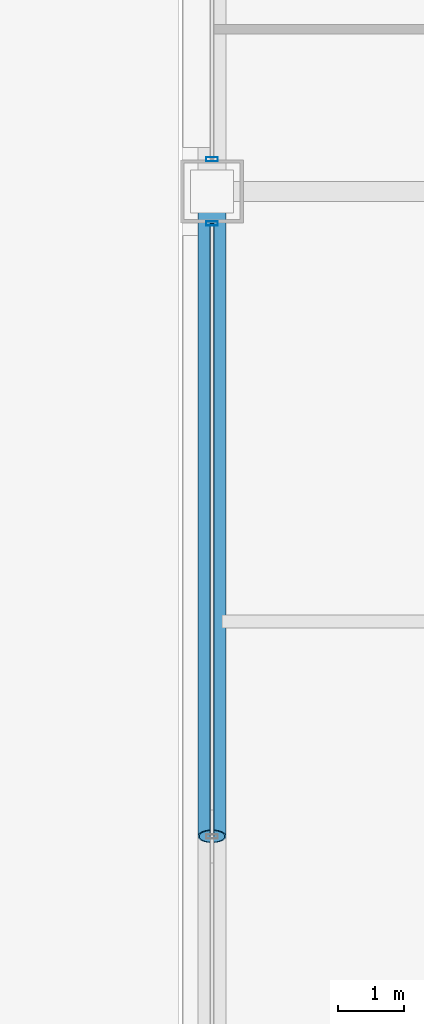
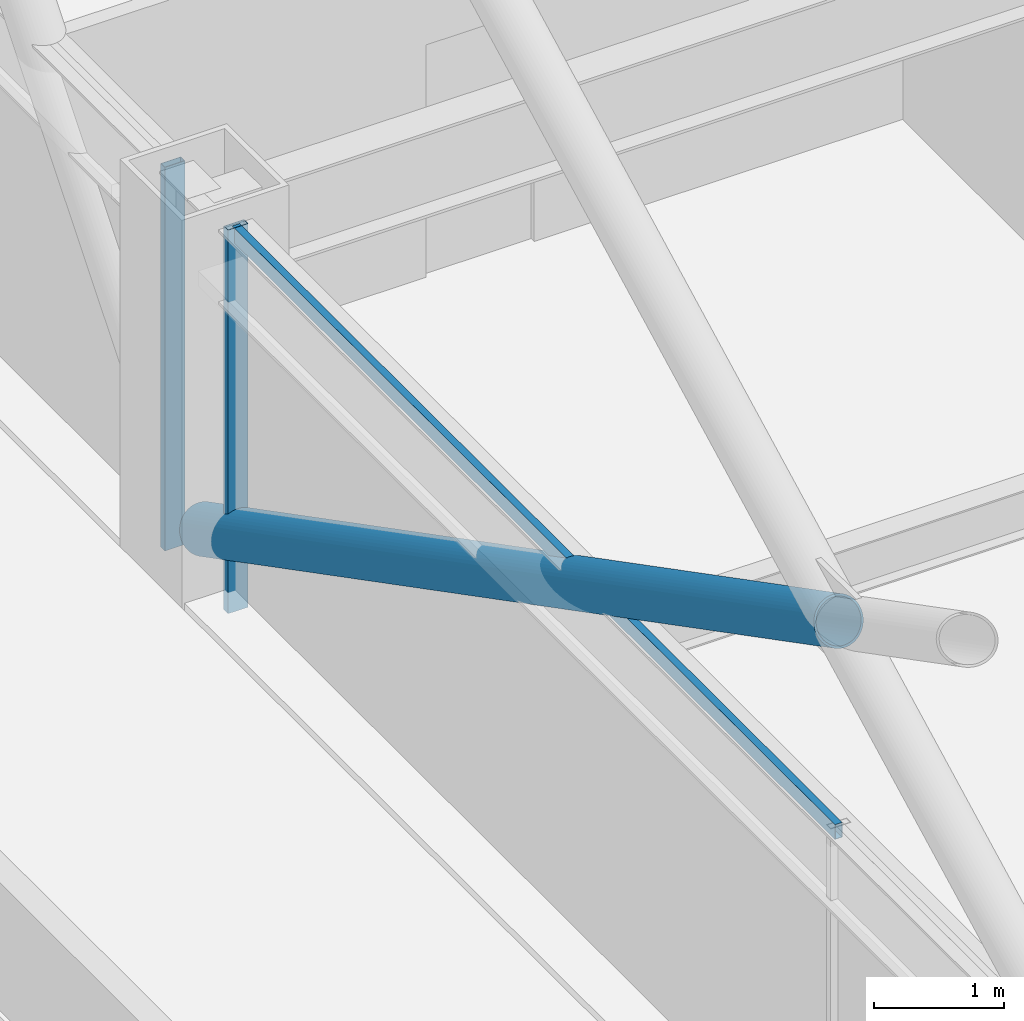
# One storey, part 17 of 33: 4 members, 2 elements without a shape of their own.
"""IFC4 building model written with IfcOpenShell, lengths in metres."""

from ifc_helpers import new_model, si_unit, direction, frame, origin, origin_2d, place, context, subcontext, project, spatial, hollow_rectangle, hollow_circle, extrude, material, layer, layer_set, material_profile, profile_set, type_object, element, aggregate, save


model = new_model("IFC4")

# Units and contexts
model_context = context("Model", 3, precision=1e-05, world=origin(), true_north=direction((0.0, 1.0)))
body_context = subcontext(model_context, "Body", "Model", "MODEL_VIEW")
ifc_project = project(units=[si_unit("LENGTHUNIT", "METRE"), si_unit("AREAUNIT", "SQUARE_METRE"), si_unit("VOLUMEUNIT", "CUBIC_METRE"), si_unit("PLANEANGLEUNIT", "RADIAN"), si_unit("MASSUNIT", "GRAM", prefix="KILO")], contexts=[model_context])

# Site, building, storey
site_placement = place(None, origin())
site = spatial("IfcSite", under=ifc_project, at=site_placement, CompositionType="ELEMENT")
building_placement = place(site_placement, origin())
building = spatial("IfcBuilding", under=site, at=building_placement, Name="Brelmoor Portico Tower", CompositionType="ELEMENT")
storey_placement = place(building_placement, frame((0.0, 0.0, 24.0)))
storey = spatial("IfcBuildingStorey", under=building, at=storey_placement, Name="L05", CompositionType="ELEMENT", Elevation=24.0)

# Member
ifc_material_1 = material(Name="Steel Q355B", Category="steel")
ifc_material_profile_1 = material_profile(ifc_material_1, hollow_circle(Radius=0.212890625, WallThickness=0.02001953125, at=origin_2d()), Name="CHS 426x20")
ifc_profile_set_1 = profile_set([ifc_material_profile_1], Name="Steel Q355B")
member_type_1 = type_object("IfcMemberType", Name="MB-BELT-DIAG1", PredefinedType="BRACE", material=ifc_profile_set_1)
member_1_placement = place(storey_placement, frame((-24.550048828125, 9.75, 0.25), z_axis=(0.0, -0.887959386012, 0.459921872488), x_axis=(1.0, 0.0, 0.0)))
element("IfcMember", 1, at=member_1_placement, inside=storey, type_object=member_type_1, Name="L05 Split Mega-X Brace 006B1", PredefinedType="BRACE", context=body_context, shape_type="SweptSolid", body=[
    extrude(hollow_circle(Radius=0.212890625, WallThickness=0.02001953125, at=origin_2d()), origin(), (0.0, 0.0, 1.0), 10.980224609375),
])

# Curtain wall, member
ifc_material_2 = material(Name="Anodised Aluminium Alloy 6063-T6", Category="aluminium")
ifc_layer = layer(ifc_material_2, 0.179931640625)
ifc_layer_set = layer_set([ifc_layer], Name="Anodised Aluminium Alloy 6063-T6")
curtain_wall_type = type_object("IfcCurtainWallType", Name="CW-TOWER-Z1-XB", PredefinedType="NOTDEFINED", material=ifc_layer_set)
curtain_wall_1_placement = place(storey_placement, origin())
curtain_wall_1 = element("IfcCurtainWall", 2, at=curtain_wall_1_placement, inside=storey, type_object=curtain_wall_type, Name="L05 Curtain Wall CW-L05-03-2", PredefinedType="NOTDEFINED")
ifc_material_profile_2 = material_profile(ifc_material_2, hollow_rectangle(XDim=0.06494140625, YDim=0.179931640625, WallThickness=0.00390625, at=origin_2d()), Name="ALU MULLION 65x180")
ifc_profile_set_2 = profile_set([ifc_material_profile_2], Name="Anodised Aluminium Alloy 6063-T6")
member_type_2 = type_object("IfcMemberType", Name="MB-CW-MULL-180", PredefinedType="MULLION", material=ifc_profile_set_2)
member_2_placement = place(storey_placement, frame((-24.550048828125, 9.264892578125, -0.199951171875), z_axis=(0.0, 0.0, 1.0), x_axis=(0.0, 1.0, 0.0)))
member_2 = element("IfcMember", 3, at=member_2_placement, type_object=member_type_2, Name="CW-L05-03-2 Mullion 02", PredefinedType="MULLION", context=body_context, shape_type="SweptSolid", body=[
    extrude(hollow_rectangle(XDim=0.06494140625, YDim=0.179931640625, WallThickness=0.00390625, at=origin_2d()), origin(), (0.0, 0.0, 1.0), 3.599853515625),
])

curtain_wall_2_placement = place(storey_placement, origin())
curtain_wall_2 = element("IfcCurtainWall", 4, at=curtain_wall_2_placement, inside=storey, type_object=curtain_wall_type, Name="L05 Curtain Wall CW-L05-03-3", PredefinedType="NOTDEFINED")
member_3_placement = place(storey_placement, frame((-24.550048828125, 10.235107421875, -0.199951171875), z_axis=(0.0, 0.0, 1.0), x_axis=(0.0, 1.0, 0.0)))
member_3 = element("IfcMember", 5, at=member_3_placement, type_object=member_type_2, Name="CW-L05-03-3 Mullion 00", PredefinedType="MULLION", context=body_context, shape_type="SweptSolid", body=[
    extrude(hollow_rectangle(XDim=0.06494140625, YDim=0.179931640625, WallThickness=0.00390625, at=origin_2d()), origin(), (0.0, 0.0, 1.0), 3.599853515625),
])
aggregate(curtain_wall_2, [member_3])

# Member
ifc_material_profile_3 = material_profile(ifc_material_2, hollow_rectangle(XDim=0.06494140625, YDim=0.139892578125, WallThickness=0.00390625, at=origin_2d()), Name="ALU TRANSOM 65x140")
ifc_profile_set_3 = profile_set([ifc_material_profile_3], Name="Anodised Aluminium Alloy 6063-T6")
member_type_3 = type_object("IfcMemberType", Name="MB-CW-TRAN-140", PredefinedType="USERDEFINED", material=ifc_profile_set_3)
member_4_placement = place(storey_placement, frame((-24.550048828125, 0.0, 3.330078125), z_axis=(0.0, 1.0, 0.0), x_axis=(-1.0, 0.0, 0.0)))
member_4 = element("IfcMember", 6, at=member_4_placement, type_object=member_type_3, Name="CW-L05-03-2 Transom 1-01", ObjectType="TRANSOM", PredefinedType="USERDEFINED", context=body_context, shape_type="SweptSolid", body=[
    extrude(hollow_rectangle(XDim=0.06494140625, YDim=0.139892578125, WallThickness=0.00390625, at=origin_2d()), origin(), (0.0, 0.0, 1.0), 9.264892578125),
])

aggregate(curtain_wall_1, [member_2, member_4])

save(model, "model.ifc")
